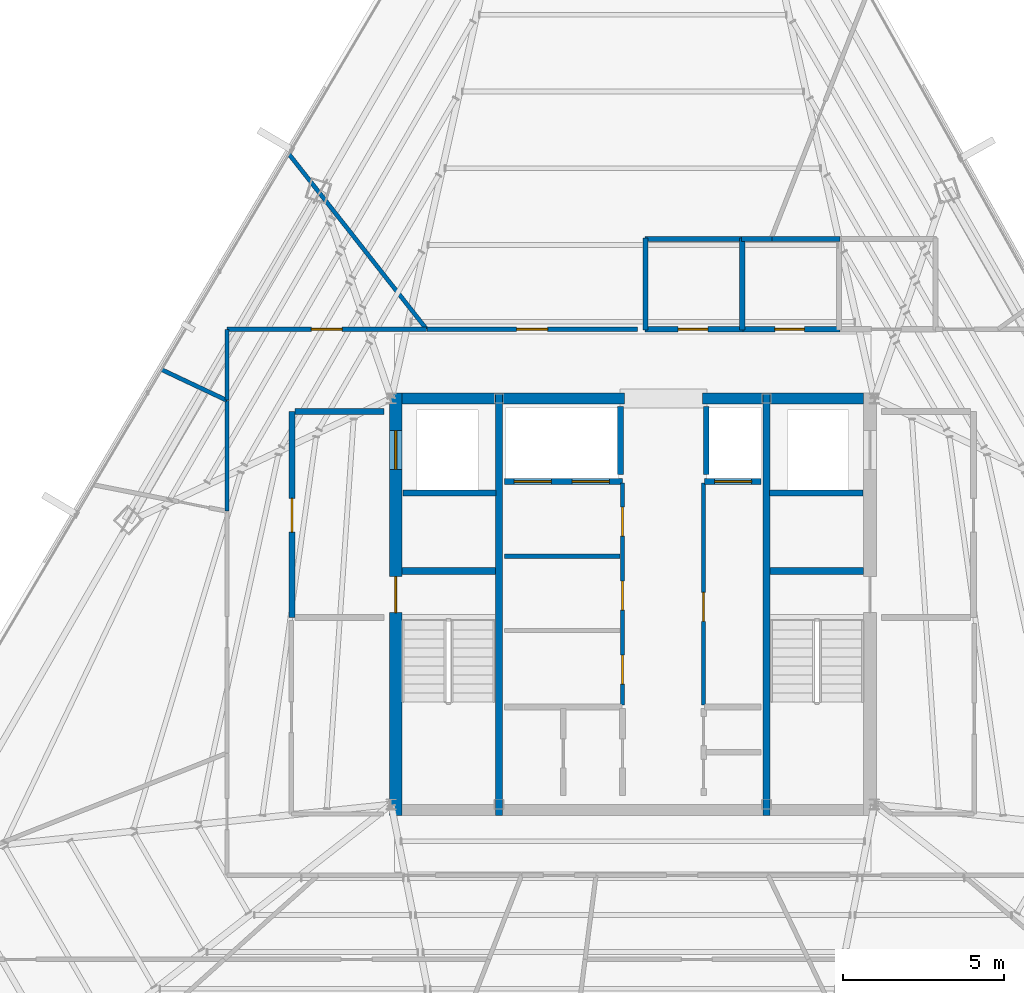
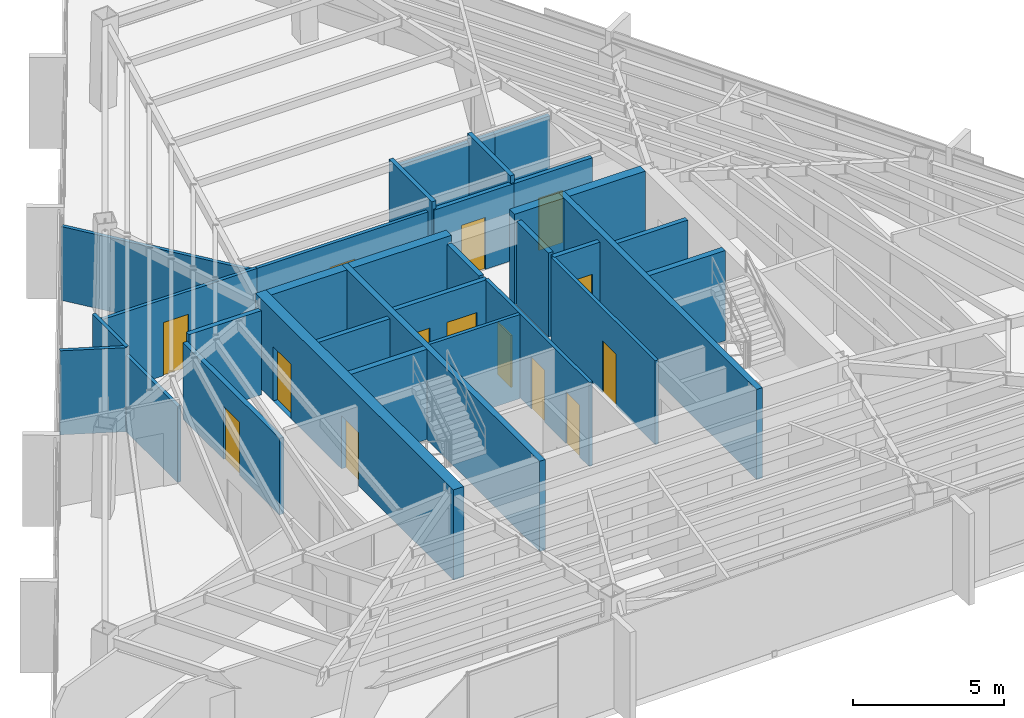
# One storey, part 43 of 47: 33 walls, 14 doors, 14 openings.
"""IFC4 building model written with IfcOpenShell, lengths in metres."""

from ifc_helpers import new_model, si_unit, direction, frame, frame_2d, origin, place, context, subcontext, project, spatial, rectangle, extrude, material, layer, layer_set, type_object, element, fill, save


model = new_model("IFC4")

# Units and contexts
model_context = context("Model", 3, precision=1e-05, world=origin(), true_north=direction((0.0, 1.0)))
body_context = subcontext(model_context, "Body", "Model", "MODEL_VIEW")
ifc_project = project(units=[si_unit("LENGTHUNIT", "METRE"), si_unit("AREAUNIT", "SQUARE_METRE"), si_unit("VOLUMEUNIT", "CUBIC_METRE"), si_unit("PLANEANGLEUNIT", "RADIAN"), si_unit("MASSUNIT", "GRAM", prefix="KILO")], contexts=[model_context])

# Site, building, storey
site_placement = place(None, origin())
site = spatial("IfcSite", under=ifc_project, at=site_placement, CompositionType="ELEMENT")
building_placement = place(site_placement, origin())
building = spatial("IfcBuilding", under=site, at=building_placement, Name="Caelisora Broadcast Tower", CompositionType="ELEMENT")
storey_placement = place(building_placement, frame((0.0, 0.0, 255.39990234375)))
storey = spatial("IfcBuildingStorey", under=building, at=storey_placement, Name="L67", CompositionType="ELEMENT", Elevation=255.39990234375)

# Wall, openings, doors
ifc_material_1 = material(Name="Concrete 40 MPa (AS 3600 N40)", Category="concrete")
ifc_layer_1 = layer(ifc_material_1, 0.39990234375, Name="Concrete 40 MPa (AS 3600 N40)")
ifc_layer_set_1 = layer_set([ifc_layer_1], Name="Concrete 40 MPa (AS 3600 N40)")
wall_type_1 = type_object("IfcWallType", Name="CW3", PredefinedType="SHEAR", material=ifc_layer_set_1)
wall_1_placement = place(storey_placement, frame((30.639892578125, 17.050048828125, 0.0), z_axis=(0.0, 0.0, 1.0), x_axis=(0.0, 1.0, 0.0)))
wall_1 = element("IfcWall", 1, at=wall_1_placement, inside=storey, type_object=wall_type_1, Name="L67 core shear wall CW3", PredefinedType="SHEAR", context=body_context, shape_type="SweptSolid", body=[
    extrude(rectangle(XDim=13.125, YDim=0.39990234375, at=frame_2d((6.5625, 0.0))), origin(), (0.0, 0.0, 1.0), 3.650146484375),
])
opening_1_placement = place(wall_1_placement, frame((6.300048828125, 0.0, 0.0)))
opening_1 = element("IfcOpeningElement", 2, at=opening_1_placement, cuts=wall_1, Name="Opening FD04", PredefinedType="OPENING", context=body_context, shape_type="SweptSolid", body=[
    extrude(rectangle(XDim=1.1201171875, YDim=2.14990234375, at=frame_2d((0.56005859375, 1.074951171875))), frame((0.0, 0.2119140625, 0.0), z_axis=(0.0, -1.0, 0.0), x_axis=(1.0, 0.0, 0.0)), (0.0, 0.0, 1.0), 0.423828125),
])
opening_2_placement = place(wall_1_placement, frame((10.75, 0.0, 0.0)))
opening_2 = element("IfcOpeningElement", 3, at=opening_2_placement, cuts=wall_1, Name="Opening LD04", PredefinedType="OPENING", context=body_context, shape_type="SweptSolid", body=[
    extrude(rectangle(XDim=1.199951171875, YDim=2.199951171875, at=frame_2d((0.60009765625, 1.10009765625))), frame((0.0, 0.2119140625, 0.0), z_axis=(0.0, -1.0, 0.0), x_axis=(1.0, 0.0, 0.0)), (0.0, 0.0, 1.0), 0.423828125),
])
ifc_material_2 = material(Name="Pressurised Fire-Isolated Stair Door", Category="steel")
door_type_1 = type_object("IfcDoorType", Name="FD04", OperationType="NOTDEFINED", PredefinedType="DOOR", material=ifc_material_2)
door_1_placement = place(opening_1_placement, origin())
door_1 = element("IfcDoor", 4, at=door_1_placement, inside=storey, type_object=door_type_1, Name="L67 door FD04 (L67-DR-ST1)", OperationType="SINGLE_SWING_LEFT", OverallHeight=2.14990234375, OverallWidth=1.1201171875, PredefinedType="DOOR", context=body_context, shape_type="SweptSolid", body=[
    extrude(rectangle(XDim=1.1201171875, YDim=2.14990234375, at=frame_2d((0.56005859375, 1.074951171875))), frame((0.0, 0.02490234375, 0.0), z_axis=(0.0, -1.0, 0.0), x_axis=(1.0, 0.0, 0.0)), (0.0, 0.0, 1.0), 0.050048828125),
])
fill(opening_1, door_1)
ifc_material_3 = material(Name="Emergency Firefighting Lift Sliding Landing Door", Category="steel")
door_type_2 = type_object("IfcDoorType", Name="LD04", OperationType="NOTDEFINED", PredefinedType="DOOR", material=ifc_material_3)
door_2_placement = place(opening_2_placement, origin())
door_2 = element("IfcDoor", 5, at=door_2_placement, inside=storey, type_object=door_type_2, Name="L67 door LD04 (L67-LD-FFL1)", OperationType="SLIDING_TO_LEFT", OverallHeight=2.199951171875, OverallWidth=1.199951171875, PredefinedType="DOOR", context=body_context, shape_type="SweptSolid", body=[
    extrude(rectangle(XDim=1.199951171875, YDim=2.199951171875, at=frame_2d((0.60009765625, 1.10009765625))), frame((0.0, 0.02490234375, 0.0), z_axis=(0.0, -1.0, 0.0), x_axis=(1.0, 0.0, 0.0)), (0.0, 0.0, 1.0), 0.050048828125),
])
fill(opening_2, door_2)

# Walls
ifc_layer_2 = layer(ifc_material_1, 0.35009765625, Name="Concrete 40 MPa (AS 3600 N40)")
ifc_layer_set_2 = layer_set([ifc_layer_2], Name="Concrete 40 MPa (AS 3600 N40)")
wall_type_2 = type_object("IfcWallType", Name="CW6", PredefinedType="SHEAR", material=ifc_layer_set_2)
wall_2_placement = place(storey_placement, frame((30.840087890625, 30.0, 0.0), z_axis=(0.0, 0.0, 1.0), x_axis=(1.0, 0.0, 0.0)))
element("IfcWall", 6, at=wall_2_placement, inside=storey, type_object=wall_type_2, Name="L67 core shear wall CW6", PredefinedType="SHEAR", context=body_context, shape_type="SweptSolid", body=[
    extrude(rectangle(XDim=2.89990234375, YDim=0.35009765625, at=frame_2d((1.449951171875, 0.0))), origin(), (0.0, 0.0, 1.0), 3.650146484375),
])
wall_3_placement = place(storey_placement, frame((33.9599609375, 30.0, 0.0), z_axis=(0.0, 0.0, 1.0), x_axis=(1.0, 0.0, 0.0)))
element("IfcWall", 7, at=wall_3_placement, inside=storey, type_object=wall_type_2, Name="L67 core shear wall CW6", PredefinedType="SHEAR", context=body_context, shape_type="SweptSolid", body=[
    extrude(rectangle(XDim=3.780029296875, YDim=0.35009765625, at=frame_2d((1.89013671875, 0.0))), origin(), (0.0, 0.0, 1.0), 3.650146484375),
])
wall_4_placement = place(storey_placement, frame((40.159912109375, 30.0, 0.0), z_axis=(0.0, 0.0, 1.0), x_axis=(1.0, 0.0, 0.0)))
element("IfcWall", 8, at=wall_4_placement, inside=storey, type_object=wall_type_2, Name="L67 core shear wall CW6", PredefinedType="SHEAR", context=body_context, shape_type="SweptSolid", body=[
    extrude(rectangle(XDim=1.880126953125, YDim=0.35009765625, at=frame_2d((0.93994140625, 0.0))), origin(), (0.0, 0.0, 1.0), 3.650146484375),
])
wall_5_placement = place(storey_placement, frame((42.260009765625, 30.0, 0.0), z_axis=(0.0, 0.0, 1.0), x_axis=(1.0, 0.0, 0.0)))
element("IfcWall", 9, at=wall_5_placement, inside=storey, type_object=wall_type_2, Name="L67 core shear wall CW6", PredefinedType="SHEAR", context=body_context, shape_type="SweptSolid", body=[
    extrude(rectangle(XDim=2.89990234375, YDim=0.35009765625, at=frame_2d((1.449951171875, 0.0))), origin(), (0.0, 0.0, 1.0), 3.650146484375),
])
ifc_material_4 = material(Name="Concrete 50 MPa (AS 3600 S50)", Category="concrete")
ifc_layer_3 = layer(ifc_material_4, 0.219970703125, Name="Concrete 50 MPa (AS 3600 S50)")
ifc_layer_set_3 = layer_set([ifc_layer_3], Name="Concrete 50 MPa (AS 3600 S50)")
wall_type_3 = type_object("IfcWallType", Name="CW7", PredefinedType="SHEAR", material=ifc_layer_set_3)
for number, where, z_axis, x_axis, name in (
    (10, (33.85009765625, 17.050048828125, 0.0), (0.0, 0.0, 1.0), (0.0, 1.0, 0.0), "L67 core shear wall CW7"),
    (11, (42.14990234375, 17.050048828125, 0.0), (0.0, 0.0, 1.0), (0.0, 1.0, 0.0), "L67 core shear wall CW7"),
):
    element("IfcWall", number, at=place(storey_placement, frame(where, z_axis=z_axis, x_axis=x_axis)), inside=storey, type_object=wall_type_3, Name=name, PredefinedType="SHEAR", context=body_context, shape_type="SweptSolid", body=[
        extrude(rectangle(XDim=13.125, YDim=0.219970703125, at=frame_2d((6.5625, 0.0))), origin(), (0.0, 0.0, 1.0), 3.650146484375),
    ])
for number, where, z_axis, x_axis, name in (
    (12, (30.840087890625, 24.639892578125, 0.0), (0.0, 0.0, 1.0), (1.0, 0.0, 0.0), "L67 core shear wall CW7"),
    (13, (42.260009765625, 24.639892578125, 0.0), (0.0, 0.0, 1.0), (1.0, 0.0, 0.0), "L67 core shear wall CW7"),
):
    element("IfcWall", number, at=place(storey_placement, frame(where, z_axis=z_axis, x_axis=x_axis)), inside=storey, type_object=wall_type_3, Name=name, PredefinedType="SHEAR", context=body_context, shape_type="SweptSolid", body=[
        extrude(rectangle(XDim=2.89990234375, YDim=0.219970703125, at=frame_2d((1.449951171875, 0.0))), origin(), (0.0, 0.0, 1.0), 3.650146484375),
    ])

# Wall, openings, doors
ifc_material_5 = material(Name="Fire-Rated Gypsum Shaft and Compartment Wall", Category="gypsum")
ifc_layer_4 = layer(ifc_material_5, 0.179931640625, Name="Fire-Rated Gypsum Shaft and Compartment Wall")
ifc_layer_set_4 = layer_set([ifc_layer_4], Name="Fire-Rated Gypsum Shaft and Compartment Wall")
wall_type_4 = type_object("IfcWallType", Name="PW2", PredefinedType="PARTITIONING", material=ifc_layer_set_4)
wall_6_placement = place(storey_placement, frame((34.02001953125, 27.419921875, 0.0), z_axis=(0.0, 0.0, 1.0), x_axis=(1.0, 0.0, 0.0)))
wall_6 = element("IfcWall", 14, at=wall_6_placement, inside=storey, type_object=wall_type_4, Name="L67 fire compartment wall PW2", PredefinedType="PARTITIONING", context=body_context, shape_type="SweptSolid", body=[
    extrude(rectangle(XDim=3.659912109375, YDim=0.179931640625, at=frame_2d((1.830078125, 0.0))), origin(), (0.0, 0.0, 1.0), 3.400146484375),
])
opening_3_placement = place(wall_6_placement, frame((0.300048828125, 0.0, 0.0)))
opening_3 = element("IfcOpeningElement", 15, at=opening_3_placement, cuts=wall_6, Name="Opening LD02", PredefinedType="OPENING", context=body_context, shape_type="SweptSolid", body=[
    extrude(rectangle(XDim=1.14990234375, YDim=2.199951171875, at=frame_2d((0.574951171875, 1.10009765625))), frame((0.0, 0.10205078125, 0.0), z_axis=(0.0, -1.0, 0.0), x_axis=(1.0, 0.0, 0.0)), (0.0, 0.0, 1.0), 0.203857421875),
])
opening_4_placement = place(wall_6_placement, frame((2.10009765625, 0.0, 0.0)))
opening_4 = element("IfcOpeningElement", 16, at=opening_4_placement, cuts=wall_6, Name="Opening LD02", PredefinedType="OPENING", context=body_context, shape_type="SweptSolid", body=[
    extrude(rectangle(XDim=1.14990234375, YDim=2.199951171875, at=frame_2d((0.574951171875, 1.10009765625))), frame((0.0, 0.10205078125, 0.0), z_axis=(0.0, -1.0, 0.0), x_axis=(1.0, 0.0, 0.0)), (0.0, 0.0, 1.0), 0.203857421875),
])
ifc_material_6 = material(Name="High-Speed Express Lift Sliding Landing Door", Category="steel")
door_type_3 = type_object("IfcDoorType", Name="LD02", OperationType="NOTDEFINED", PredefinedType="DOOR", material=ifc_material_6)
door_3_placement = place(opening_3_placement, origin())
door_3 = element("IfcDoor", 17, at=door_3_placement, inside=storey, type_object=door_type_3, Name="L67 door LD02 (L67-LD-PLH1)", OperationType="SLIDING_TO_RIGHT", OverallHeight=2.199951171875, OverallWidth=1.14990234375, PredefinedType="DOOR", context=body_context, shape_type="SweptSolid", body=[
    extrude(rectangle(XDim=1.14990234375, YDim=2.199951171875, at=frame_2d((0.574951171875, 1.10009765625))), frame((0.0, 0.02490234375, 0.0), z_axis=(0.0, -1.0, 0.0), x_axis=(1.0, 0.0, 0.0)), (0.0, 0.0, 1.0), 0.050048828125),
])
fill(opening_3, door_3)
door_4_placement = place(opening_4_placement, origin())
door_4 = element("IfcDoor", 18, at=door_4_placement, inside=storey, type_object=door_type_3, Name="L67 door LD02 (L67-LD-PLH2)", OperationType="SLIDING_TO_LEFT", OverallHeight=2.199951171875, OverallWidth=1.14990234375, PredefinedType="DOOR", context=body_context, shape_type="SweptSolid", body=[
    extrude(rectangle(XDim=1.14990234375, YDim=2.199951171875, at=frame_2d((0.574951171875, 1.10009765625))), frame((0.0, 0.02490234375, 0.0), z_axis=(0.0, -1.0, 0.0), x_axis=(1.0, 0.0, 0.0)), (0.0, 0.0, 1.0), 0.050048828125),
])
fill(opening_4, door_4)

# Wall, opening, door
wall_7_placement = place(storey_placement, frame((40.219970703125, 27.419921875, 0.0), z_axis=(0.0, 0.0, 1.0), x_axis=(1.0, 0.0, 0.0)))
wall_7 = element("IfcWall", 19, at=wall_7_placement, inside=storey, type_object=wall_type_4, Name="L67 fire compartment wall PW2", PredefinedType="PARTITIONING", context=body_context, shape_type="SweptSolid", body=[
    extrude(rectangle(XDim=1.760009765625, YDim=0.179931640625, at=frame_2d((0.8798828125, 0.0))), origin(), (0.0, 0.0, 1.0), 3.400146484375),
])
opening_5_placement = place(wall_7_placement, frame((0.320068359375, 0.0, 0.0)))
opening_5 = element("IfcOpeningElement", 20, at=opening_5_placement, cuts=wall_7, Name="Opening LD02", PredefinedType="OPENING", context=body_context, shape_type="SweptSolid", body=[
    extrude(rectangle(XDim=1.14990234375, YDim=2.199951171875, at=frame_2d((0.574951171875, 1.10009765625))), frame((0.0, 0.10205078125, 0.0), z_axis=(0.0, -1.0, 0.0), x_axis=(1.0, 0.0, 0.0)), (0.0, 0.0, 1.0), 0.203857421875),
])
door_5_placement = place(opening_5_placement, origin())
door_5 = element("IfcDoor", 21, at=door_5_placement, inside=storey, type_object=door_type_3, Name="L67 door LD02 (L67-LD-PLH3)", OperationType="SLIDING_TO_RIGHT", OverallHeight=2.199951171875, OverallWidth=1.14990234375, PredefinedType="DOOR", context=body_context, shape_type="SweptSolid", body=[
    extrude(rectangle(XDim=1.14990234375, YDim=2.199951171875, at=frame_2d((0.574951171875, 1.10009765625))), frame((0.0, 0.02490234375, 0.0), z_axis=(0.0, -1.0, 0.0), x_axis=(1.0, 0.0, 0.0)), (0.0, 0.0, 1.0), 0.050048828125),
])
fill(opening_5, door_5)

# Walls
for number, where, z_axis, x_axis, name in (
    (22, (37.6201171875, 27.639892578125, 0.0), (0.0, 0.0, 1.0), (0.0, 1.0, 0.0), "L67 fire compartment wall PW2"),
    (23, (40.280029296875, 27.639892578125, 0.0), (0.0, 0.0, 1.0), (0.0, 1.0, 0.0), "L67 fire compartment wall PW2"),
):
    element("IfcWall", number, at=place(storey_placement, frame(where, z_axis=z_axis, x_axis=x_axis)), inside=storey, type_object=wall_type_4, Name=name, PredefinedType="PARTITIONING", context=body_context, shape_type="SweptSolid", body=[
        extrude(rectangle(XDim=2.110107421875, YDim=0.179931640625, at=frame_2d((1.05517578125, 0.0))), origin(), (0.0, 0.0, 1.0), 3.400146484375),
    ])

# Wall, opening, door
wall_8_placement = place(storey_placement, frame((27.419921875, 23.199951171875, 0.0), z_axis=(0.0, 0.0, 1.0), x_axis=(0.0, 1.0, 0.0)))
wall_8 = element("IfcWall", 24, at=wall_8_placement, inside=storey, type_object=wall_type_4, Name="L67 fire compartment wall PW2", PredefinedType="PARTITIONING", context=body_context, shape_type="SweptSolid", body=[
    extrude(rectangle(XDim=6.400146484375, YDim=0.179931640625, at=frame_2d((3.2001953125, 0.0))), origin(), (0.0, 0.0, 1.0), 3.085205078125),
])
opening_6_placement = place(wall_8_placement, frame((2.64990234375, 0.0, 0.0)))
opening_6 = element("IfcOpeningElement", 25, at=opening_6_placement, cuts=wall_8, Name="Opening FD02", PredefinedType="OPENING", context=body_context, shape_type="SweptSolid", body=[
    extrude(rectangle(XDim=1.050048828125, YDim=2.14990234375, at=frame_2d((0.52490234375, 1.074951171875))), frame((0.0, 0.10205078125, 0.0), z_axis=(0.0, -1.0, 0.0), x_axis=(1.0, 0.0, 0.0)), (0.0, 0.0, 1.0), 0.203857421875),
])
ifc_material_7 = material(Name="Single-Leaf Steel Fire Lobby Door", Category="steel")
door_type_4 = type_object("IfcDoorType", Name="FD02", OperationType="NOTDEFINED", PredefinedType="DOOR", material=ifc_material_7)
door_6_placement = place(opening_6_placement, origin())
door_6 = element("IfcDoor", 26, at=door_6_placement, inside=storey, type_object=door_type_4, Name="L67 door FD02 (L67-DR-P01D1)", OperationType="SINGLE_SWING_RIGHT", OverallHeight=2.14990234375, OverallWidth=1.050048828125, PredefinedType="DOOR", context=body_context, shape_type="SweptSolid", body=[
    extrude(rectangle(XDim=1.050048828125, YDim=2.14990234375, at=frame_2d((0.52490234375, 1.074951171875))), frame((0.0, 0.02490234375, 0.0), z_axis=(0.0, -1.0, 0.0), x_axis=(1.0, 0.0, 0.0)), (0.0, 0.0, 1.0), 0.050048828125),
])
fill(opening_6, door_6)

# Walls
wall_9_placement = place(storey_placement, frame((27.52001953125, 29.60009765625, 0.0), z_axis=(0.0, 0.0, 1.0), x_axis=(1.0, 0.0, 0.0)))
element("IfcWall", 27, at=wall_9_placement, inside=storey, type_object=wall_type_4, Name="L67 fire compartment wall PW2", PredefinedType="PARTITIONING", context=body_context, shape_type="SweptSolid", body=[
    extrude(rectangle(XDim=2.760009765625, YDim=0.179931640625, at=frame_2d((1.3798828125, 0.0))), origin(), (0.0, 0.0, 1.0), 3.400146484375),
])
for number, where, z_axis, x_axis, name in (
    (28, (30.860107421875, 27.070068359375, 0.0), (0.0, 0.0, 1.0), (1.0, 0.0, 0.0), "L67 fire compartment wall PW2"),
    (29, (42.239990234375, 27.070068359375, 0.0), (0.0, 0.0, 1.0), (1.0, 0.0, 0.0), "L67 fire compartment wall PW2"),
):
    element("IfcWall", number, at=place(storey_placement, frame(where, z_axis=z_axis, x_axis=x_axis)), inside=storey, type_object=wall_type_4, Name=name, PredefinedType="PARTITIONING", context=body_context, shape_type="SweptSolid", body=[
        extrude(rectangle(XDim=2.89990234375, YDim=0.179931640625, at=frame_2d((1.449951171875, 0.0))), origin(), (0.0, 0.0, 1.0), 3.400146484375),
    ])
ifc_material_8 = material(Name="Acoustic Steel-Stud Plasterboard Partition", Category="gypsum")
ifc_layer_5 = layer(ifc_material_8, 0.1298828125, Name="Acoustic Steel-Stud Plasterboard Partition")
ifc_layer_set_5 = layer_set([ifc_layer_5], Name="Acoustic Steel-Stud Plasterboard Partition")
wall_type_5 = type_object("IfcWallType", Name="PW3", PredefinedType="PARTITIONING", material=ifc_layer_set_5)
wall_10_placement = place(storey_placement, frame((34.02001953125, 25.10009765625, 0.0), z_axis=(0.0, 0.0, 1.0), x_axis=(1.0, 0.0, 0.0)))
element("IfcWall", 30, at=wall_10_placement, inside=storey, type_object=wall_type_5, Name="L67 internal partition PW3", PredefinedType="PARTITIONING", context=body_context, shape_type="SweptSolid", body=[
    extrude(rectangle(XDim=3.580078125, YDim=0.1298828125, at=frame_2d((1.7900390625, 0.0))), origin(), (0.0, 0.0, 1.0), 3.400146484375),
])

# Wall, openings, doors
wall_11_placement = place(storey_placement, frame((37.679931640625, 20.47998046875, 0.0), z_axis=(0.0, 0.0, 1.0), x_axis=(0.0, 1.0, 0.0)))
wall_11 = element("IfcWall", 31, at=wall_11_placement, inside=storey, type_object=wall_type_5, Name="L67 internal partition PW3", PredefinedType="PARTITIONING", context=body_context, shape_type="SweptSolid", body=[
    extrude(rectangle(XDim=6.89990234375, YDim=0.1298828125, at=frame_2d((3.449951171875, 0.0))), origin(), (0.0, 0.0, 1.0), 3.400146484375),
])
opening_7_placement = place(wall_11_placement, frame((0.64990234375, 0.0, 0.0)))
opening_7 = element("IfcOpeningElement", 32, at=opening_7_placement, cuts=wall_11, Name="Opening FD03", PredefinedType="OPENING", context=body_context, shape_type="SweptSolid", body=[
    extrude(rectangle(XDim=0.89990234375, YDim=2.10009765625, at=frame_2d((0.449951171875, 1.050048828125))), frame((0.0, 0.076904296875, 0.0), z_axis=(0.0, -1.0, 0.0), x_axis=(1.0, 0.0, 0.0)), (0.0, 0.0, 1.0), 0.15380859375),
])
opening_8_placement = place(wall_11_placement, frame((2.949951171875, 0.0, 0.0)))
opening_8 = element("IfcOpeningElement", 33, at=opening_8_placement, cuts=wall_11, Name="Opening FD03", PredefinedType="OPENING", context=body_context, shape_type="SweptSolid", body=[
    extrude(rectangle(XDim=0.89990234375, YDim=2.10009765625, at=frame_2d((0.449951171875, 1.050048828125))), frame((0.0, 0.076904296875, 0.0), z_axis=(0.0, -1.0, 0.0), x_axis=(1.0, 0.0, 0.0)), (0.0, 0.0, 1.0), 0.15380859375),
])
opening_9_placement = place(wall_11_placement, frame((5.25, 0.0, 0.0)))
opening_9 = element("IfcOpeningElement", 34, at=opening_9_placement, cuts=wall_11, Name="Opening FD03", PredefinedType="OPENING", context=body_context, shape_type="SweptSolid", body=[
    extrude(rectangle(XDim=0.89990234375, YDim=2.10009765625, at=frame_2d((0.449951171875, 1.050048828125))), frame((0.0, 0.076904296875, 0.0), z_axis=(0.0, -1.0, 0.0), x_axis=(1.0, 0.0, 0.0)), (0.0, 0.0, 1.0), 0.15380859375),
])
ifc_material_9 = material(Name="Single-Leaf Steel Riser Fire Access Door", Category="steel")
door_type_5 = type_object("IfcDoorType", Name="FD03", OperationType="NOTDEFINED", PredefinedType="DOOR", material=ifc_material_9)
door_7_placement = place(opening_7_placement, origin())
door_7 = element("IfcDoor", 35, at=door_7_placement, inside=storey, type_object=door_type_5, Name="L67 door FD03 (L67-DR-P13D1)", OperationType="SINGLE_SWING_RIGHT", OverallHeight=2.10009765625, OverallWidth=0.89990234375, PredefinedType="DOOR", context=body_context, shape_type="SweptSolid", body=[
    extrude(rectangle(XDim=0.89990234375, YDim=2.10009765625, at=frame_2d((0.449951171875, 1.050048828125))), frame((0.0, 0.02490234375, 0.0), z_axis=(0.0, -1.0, 0.0), x_axis=(1.0, 0.0, 0.0)), (0.0, 0.0, 1.0), 0.050048828125),
])
fill(opening_7, door_7)
door_8_placement = place(opening_8_placement, origin())
door_8 = element("IfcDoor", 36, at=door_8_placement, inside=storey, type_object=door_type_5, Name="L67 door FD03 (L67-DR-P13D2)", OperationType="SINGLE_SWING_LEFT", OverallHeight=2.10009765625, OverallWidth=0.89990234375, PredefinedType="DOOR", context=body_context, shape_type="SweptSolid", body=[
    extrude(rectangle(XDim=0.89990234375, YDim=2.10009765625, at=frame_2d((0.449951171875, 1.050048828125))), frame((0.0, 0.02490234375, 0.0), z_axis=(0.0, -1.0, 0.0), x_axis=(1.0, 0.0, 0.0)), (0.0, 0.0, 1.0), 0.050048828125),
])
fill(opening_8, door_8)
door_9_placement = place(opening_9_placement, origin())
door_9 = element("IfcDoor", 37, at=door_9_placement, inside=storey, type_object=door_type_5, Name="L67 door FD03 (L67-DR-P13D3)", OperationType="SINGLE_SWING_RIGHT", OverallHeight=2.10009765625, OverallWidth=0.89990234375, PredefinedType="DOOR", context=body_context, shape_type="SweptSolid", body=[
    extrude(rectangle(XDim=0.89990234375, YDim=2.10009765625, at=frame_2d((0.449951171875, 1.050048828125))), frame((0.0, 0.02490234375, 0.0), z_axis=(0.0, -1.0, 0.0), x_axis=(1.0, 0.0, 0.0)), (0.0, 0.0, 1.0), 0.050048828125),
])
fill(opening_9, door_9)

# Wall, opening, door
wall_12_placement = place(storey_placement, frame((40.199951171875, 20.47998046875, 0.0), z_axis=(0.0, 0.0, 1.0), x_axis=(0.0, 1.0, 0.0)))
wall_12 = element("IfcWall", 38, at=wall_12_placement, inside=storey, type_object=wall_type_5, Name="L67 internal partition PW3", PredefinedType="PARTITIONING", context=body_context, shape_type="SweptSolid", body=[
    extrude(rectangle(XDim=6.89990234375, YDim=0.1298828125, at=frame_2d((3.449951171875, 0.0))), origin(), (0.0, 0.0, 1.0), 3.400146484375),
])
opening_10_placement = place(wall_12_placement, frame((2.60009765625, 0.0, 0.0)))
opening_10 = element("IfcOpeningElement", 39, at=opening_10_placement, cuts=wall_12, Name="Opening FD03", PredefinedType="OPENING", context=body_context, shape_type="SweptSolid", body=[
    extrude(rectangle(XDim=0.89990234375, YDim=2.10009765625, at=frame_2d((0.449951171875, 1.050048828125))), frame((0.0, 0.076904296875, 0.0), z_axis=(0.0, -1.0, 0.0), x_axis=(1.0, 0.0, 0.0)), (0.0, 0.0, 1.0), 0.15380859375),
])
door_10_placement = place(opening_10_placement, origin())
door_10 = element("IfcDoor", 40, at=door_10_placement, inside=storey, type_object=door_type_5, Name="L67 door FD03 (L67-DR-P14D1)", OperationType="SINGLE_SWING_LEFT", OverallHeight=2.10009765625, OverallWidth=0.89990234375, PredefinedType="DOOR", context=body_context, shape_type="SweptSolid", body=[
    extrude(rectangle(XDim=0.89990234375, YDim=2.10009765625, at=frame_2d((0.449951171875, 1.050048828125))), frame((0.0, 0.02490234375, 0.0), z_axis=(0.0, -1.0, 0.0), x_axis=(1.0, 0.0, 0.0)), (0.0, 0.0, 1.0), 0.050048828125),
])
fill(opening_10, door_10)

# Wall
wall_13_placement = place(storey_placement, frame((27.32080078125, 37.592529296875, 0.0), z_axis=(0.0, 0.0, 1.0), x_axis=(0.618092697586, -0.786105220178, 0.0)))
element("IfcWall", 41, at=wall_13_placement, inside=storey, type_object=wall_type_5, Name="L67 internal partition PW3", PredefinedType="PARTITIONING", context=body_context, shape_type="SweptSolid", body=[
    extrude(rectangle(XDim=6.918212890625, YDim=0.1298828125, at=frame_2d((3.458984375, 0.0))), origin(), (0.0, 0.0, 1.0), 2.985107421875),
])

# Wall, opening, door
wall_14_placement = place(storey_placement, frame((31.60498046875, 32.14990234375, 0.0), z_axis=(0.0, 0.0, 1.0), x_axis=(1.0, 0.0, 0.0)))
wall_14 = element("IfcWall", 42, at=wall_14_placement, inside=storey, type_object=wall_type_5, Name="L67 internal partition PW3", PredefinedType="PARTITIONING", context=body_context, shape_type="SweptSolid", body=[
    extrude(rectangle(XDim=6.5400390625, YDim=0.1298828125, at=frame_2d((3.27001953125, 0.0))), origin(), (0.0, 0.0, 1.0), 3.085205078125),
])
opening_11_placement = place(wall_14_placement, frame((2.7900390625, 0.0, 0.0)))
opening_11 = element("IfcOpeningElement", 43, at=opening_11_placement, cuts=wall_14, Name="Opening D01", PredefinedType="OPENING", context=body_context, shape_type="SweptSolid", body=[
    extrude(rectangle(XDim=0.9599609375, YDim=2.14990234375, at=frame_2d((0.47998046875, 1.074951171875))), frame((0.0, 0.076904296875, 0.0), z_axis=(0.0, -1.0, 0.0), x_axis=(1.0, 0.0, 0.0)), (0.0, 0.0, 1.0), 0.15380859375),
])
ifc_material_10 = material(Name="Solid-Core Timber Acoustic Office Door", Category="wood")
door_type_6 = type_object("IfcDoorType", Name="D01", OperationType="NOTDEFINED", PredefinedType="DOOR", material=ifc_material_10)
door_11_placement = place(opening_11_placement, origin())
door_11 = element("IfcDoor", 44, at=door_11_placement, inside=storey, type_object=door_type_6, Name="L67 door D01 (L67-DR-P45D1)", OperationType="SINGLE_SWING_LEFT", OverallHeight=2.14990234375, OverallWidth=0.9599609375, PredefinedType="DOOR", context=body_context, shape_type="SweptSolid", body=[
    extrude(rectangle(XDim=0.9599609375, YDim=2.14990234375, at=frame_2d((0.47998046875, 1.074951171875))), frame((0.0, 0.02490234375, 0.0), z_axis=(0.0, -1.0, 0.0), x_axis=(1.0, 0.0, 0.0)), (0.0, 0.0, 1.0), 0.050048828125),
])
fill(opening_11, door_11)

wall_15_placement = place(storey_placement, frame((25.405029296875, 32.14990234375, 0.0), z_axis=(0.0, 0.0, 1.0), x_axis=(1.0, 0.0, 0.0)))
wall_15 = element("IfcWall", 45, at=wall_15_placement, inside=storey, type_object=wall_type_5, Name="L67 internal partition PW3", PredefinedType="PARTITIONING", context=body_context, shape_type="SweptSolid", body=[
    extrude(rectangle(XDim=6.18994140625, YDim=0.1298828125, at=frame_2d((3.094970703125, 0.0))), origin(), (0.0, 0.0, 1.0), 3.085205078125),
])
opening_12_placement = place(wall_15_placement, frame((2.614990234375, 0.0, 0.0)))
opening_12 = element("IfcOpeningElement", 46, at=opening_12_placement, cuts=wall_15, Name="Opening D01", PredefinedType="OPENING", context=body_context, shape_type="SweptSolid", body=[
    extrude(rectangle(XDim=0.9599609375, YDim=2.14990234375, at=frame_2d((0.47998046875, 1.074951171875))), frame((0.0, 0.076904296875, 0.0), z_axis=(0.0, -1.0, 0.0), x_axis=(1.0, 0.0, 0.0)), (0.0, 0.0, 1.0), 0.15380859375),
])
door_12_placement = place(opening_12_placement, origin())
door_12 = element("IfcDoor", 47, at=door_12_placement, inside=storey, type_object=door_type_6, Name="L67 door D01 (L67-DR-P47D1)", OperationType="SINGLE_SWING_LEFT", OverallHeight=2.14990234375, OverallWidth=0.9599609375, PredefinedType="DOOR", context=body_context, shape_type="SweptSolid", body=[
    extrude(rectangle(XDim=0.9599609375, YDim=2.14990234375, at=frame_2d((0.47998046875, 1.074951171875))), frame((0.0, 0.02490234375, 0.0), z_axis=(0.0, -1.0, 0.0), x_axis=(1.0, 0.0, 0.0)), (0.0, 0.0, 1.0), 0.050048828125),
])
fill(opening_12, door_12)

# Walls
wall_16_placement = place(storey_placement, frame((25.39990234375, 26.5048828125, 0.0), z_axis=(0.0, 0.0, 1.0), x_axis=(0.0, 1.0, 0.0)))
element("IfcWall", 48, at=wall_16_placement, inside=storey, type_object=wall_type_5, Name="L67 internal partition PW3", PredefinedType="PARTITIONING", context=body_context, shape_type="SweptSolid", body=[
    extrude(rectangle(XDim=3.43017578125, YDim=0.1298828125, at=frame_2d((1.715087890625, 0.0))), origin(), (0.0, 0.0, 1.0), 3.085205078125),
])
wall_17_placement = place(storey_placement, frame((23.368408203125, 30.898193359375, 0.0), z_axis=(0.0, 0.0, 1.0), x_axis=(0.904371303979, -0.426746464003, 0.0)))
element("IfcWall", 49, at=wall_17_placement, inside=storey, type_object=wall_type_5, Name="L67 internal partition PW3", PredefinedType="PARTITIONING", context=body_context, shape_type="SweptSolid", body=[
    extrude(rectangle(XDim=2.240966796875, YDim=0.1298828125, at=frame_2d((1.12060546875, 0.0))), origin(), (0.0, 0.0, 1.0), 3.400146484375),
])
wall_18_placement = place(storey_placement, frame((25.39990234375, 29.945068359375, 0.0), z_axis=(0.0, 0.0, 1.0), x_axis=(0.0, 1.0, 0.0)))
element("IfcWall", 50, at=wall_18_placement, inside=storey, type_object=wall_type_5, Name="L67 internal partition PW3", PredefinedType="PARTITIONING", context=body_context, shape_type="SweptSolid", body=[
    extrude(rectangle(XDim=2.199951171875, YDim=0.1298828125, at=frame_2d((1.10009765625, 0.0))), origin(), (0.0, 0.0, 1.0), 3.400146484375),
])

# Wall, opening, door
ifc_material_11 = material(Name="Moisture-Resistant Wet Plumbing Service Wall", Category="gypsum")
ifc_layer_6 = layer(ifc_material_11, 0.159912109375, Name="Moisture-Resistant Wet Plumbing Service Wall")
ifc_layer_set_6 = layer_set([ifc_layer_6], Name="Moisture-Resistant Wet Plumbing Service Wall")
wall_type_6 = type_object("IfcWallType", Name="PW4", PredefinedType="PLUMBINGWALL", material=ifc_layer_set_6)
wall_19_placement = place(storey_placement, frame((38.375, 32.14990234375, 0.0), z_axis=(0.0, 0.0, 1.0), x_axis=(1.0, 0.0, 0.0)))
wall_19 = element("IfcWall", 51, at=wall_19_placement, inside=storey, type_object=wall_type_6, Name="L67 wet plumbing wall PW4", PredefinedType="PLUMBINGWALL", context=body_context, shape_type="SweptSolid", body=[
    extrude(rectangle(XDim=3.050048828125, YDim=0.159912109375, at=frame_2d((1.52490234375, 0.0))), origin(), (0.0, 0.0, 1.0), 3.085205078125),
])
opening_13_placement = place(wall_19_placement, frame((1.034912109375, 0.0, 0.0)))
opening_13 = element("IfcOpeningElement", 52, at=opening_13_placement, cuts=wall_19, Name="Opening D03", PredefinedType="OPENING", context=body_context, shape_type="SweptSolid", body=[
    extrude(rectangle(XDim=0.919921875, YDim=2.10009765625, at=frame_2d((0.4599609375, 1.050048828125))), frame((0.0, 0.092041015625, 0.0), z_axis=(0.0, -1.0, 0.0), x_axis=(1.0, 0.0, 0.0)), (0.0, 0.0, 1.0), 0.183837890625),
])
ifc_material_12 = material(Name="Laminate Moisture-Resistant Amenity WC Door", Category="wood")
door_type_7 = type_object("IfcDoorType", Name="D03", OperationType="NOTDEFINED", PredefinedType="DOOR", material=ifc_material_12)
door_13_placement = place(opening_13_placement, origin())
door_13 = element("IfcDoor", 53, at=door_13_placement, inside=storey, type_object=door_type_7, Name="L67 door D03 (L67-DR-P19D1)", OperationType="SINGLE_SWING_RIGHT", OverallHeight=2.10009765625, OverallWidth=0.919921875, PredefinedType="DOOR", context=body_context, shape_type="SweptSolid", body=[
    extrude(rectangle(XDim=0.919921875, YDim=2.10009765625, at=frame_2d((0.4599609375, 1.050048828125))), frame((0.0, 0.02490234375, 0.0), z_axis=(0.0, -1.0, 0.0), x_axis=(1.0, 0.0, 0.0)), (0.0, 0.0, 1.0), 0.050048828125),
])
fill(opening_13, door_13)

wall_20_placement = place(storey_placement, frame((41.375, 32.14990234375, 0.0), z_axis=(0.0, 0.0, 1.0), x_axis=(1.0, 0.0, 0.0)))
wall_20 = element("IfcWall", 54, at=wall_20_placement, inside=storey, type_object=wall_type_6, Name="L67 wet plumbing wall PW4", PredefinedType="PLUMBINGWALL", context=body_context, shape_type="SweptSolid", body=[
    extrude(rectangle(XDim=3.050048828125, YDim=0.159912109375, at=frame_2d((1.52490234375, 0.0))), origin(), (0.0, 0.0, 1.0), 3.085205078125),
])
opening_14_placement = place(wall_20_placement, frame((1.034912109375, 0.0, 0.0)))
opening_14 = element("IfcOpeningElement", 55, at=opening_14_placement, cuts=wall_20, Name="Opening D03", PredefinedType="OPENING", context=body_context, shape_type="SweptSolid", body=[
    extrude(rectangle(XDim=0.919921875, YDim=2.10009765625, at=frame_2d((0.4599609375, 1.050048828125))), frame((0.0, 0.092041015625, 0.0), z_axis=(0.0, -1.0, 0.0), x_axis=(1.0, 0.0, 0.0)), (0.0, 0.0, 1.0), 0.183837890625),
])
door_14_placement = place(opening_14_placement, origin())
door_14 = element("IfcDoor", 56, at=door_14_placement, inside=storey, type_object=door_type_7, Name="L67 door D03 (L67-DR-P20D1)", OperationType="SINGLE_SWING_LEFT", OverallHeight=2.10009765625, OverallWidth=0.919921875, PredefinedType="DOOR", context=body_context, shape_type="SweptSolid", body=[
    extrude(rectangle(XDim=0.919921875, YDim=2.10009765625, at=frame_2d((0.4599609375, 1.050048828125))), frame((0.0, 0.02490234375, 0.0), z_axis=(0.0, -1.0, 0.0), x_axis=(1.0, 0.0, 0.0)), (0.0, 0.0, 1.0), 0.050048828125),
])
fill(opening_14, door_14)

# Walls
wall_21_placement = place(storey_placement, frame((38.375, 34.949951171875, 0.0), z_axis=(0.0, 0.0, 1.0), x_axis=(1.0, 0.0, 0.0)))
element("IfcWall", 57, at=wall_21_placement, inside=storey, type_object=wall_type_6, Name="L67 wet plumbing wall PW4", PredefinedType="PLUMBINGWALL", context=body_context, shape_type="SweptSolid", body=[
    extrude(rectangle(XDim=3.050048828125, YDim=0.159912109375, at=frame_2d((1.52490234375, 0.0))), origin(), (0.0, 0.0, 1.0), 3.085205078125),
])
for number, where, z_axis, x_axis, name in (
    (58, (41.39990234375, 32.125, 0.0), (0.0, 0.0, 1.0), (0.0, 1.0, 0.0), "L67 wet plumbing wall PW4"),
    (59, (38.39990234375, 32.125, 0.0), (0.0, 0.0, 1.0), (0.0, 1.0, 0.0), "L67 wet plumbing wall PW4"),
):
    element("IfcWall", number, at=place(storey_placement, frame(where, z_axis=z_axis, x_axis=x_axis)), inside=storey, type_object=wall_type_6, Name=name, PredefinedType="PLUMBINGWALL", context=body_context, shape_type="SweptSolid", body=[
        extrude(rectangle(XDim=2.85009765625, YDim=0.159912109375, at=frame_2d((1.425048828125, 0.0))), origin(), (0.0, 0.0, 1.0), 3.400146484375),
    ])
wall_22_placement = place(storey_placement, frame((42.264892578125, 34.949951171875, 0.0), z_axis=(0.0, 0.0, 1.0), x_axis=(1.0, 0.0, 0.0)))
element("IfcWall", 60, at=wall_22_placement, inside=storey, type_object=wall_type_6, Name="L67 wet plumbing wall PW4", PredefinedType="PLUMBINGWALL", context=body_context, shape_type="SweptSolid", body=[
    extrude(rectangle(XDim=2.16015625, YDim=0.159912109375, at=frame_2d((1.080078125, 0.0))), origin(), (0.0, 0.0, 1.0), 3.085205078125),
])
wall_23_placement = place(storey_placement, frame((41.375, 34.949951171875, 0.0), z_axis=(0.0, 0.0, 1.0), x_axis=(1.0, 0.0, 0.0)))
element("IfcWall", 61, at=wall_23_placement, inside=storey, type_object=wall_type_6, Name="L67 wet plumbing wall PW4", PredefinedType="PLUMBINGWALL", context=body_context, shape_type="SweptSolid", body=[
    extrude(rectangle(XDim=0.93994140625, YDim=0.159912109375, at=frame_2d((0.469970703125, 0.0))), origin(), (0.0, 0.0, 1.0), 3.085205078125),
])

save(model, "model.ifc")
